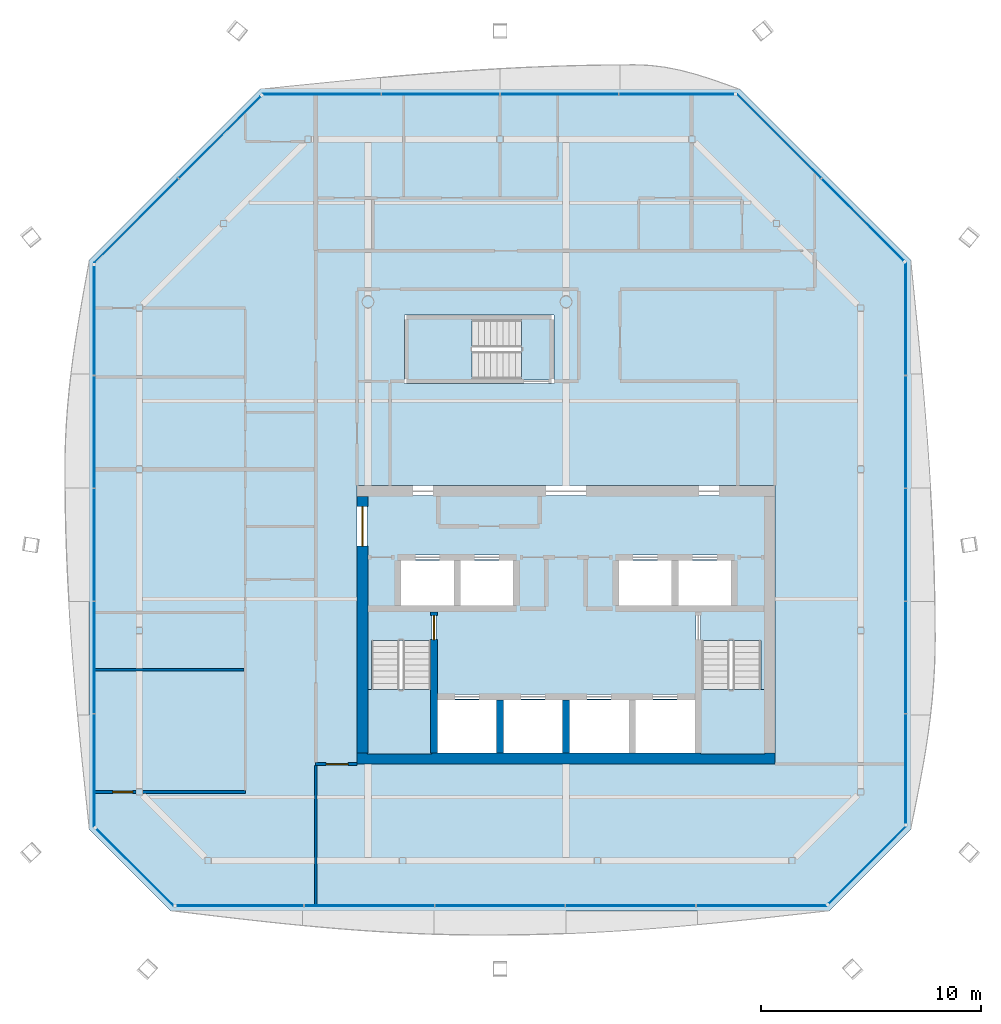
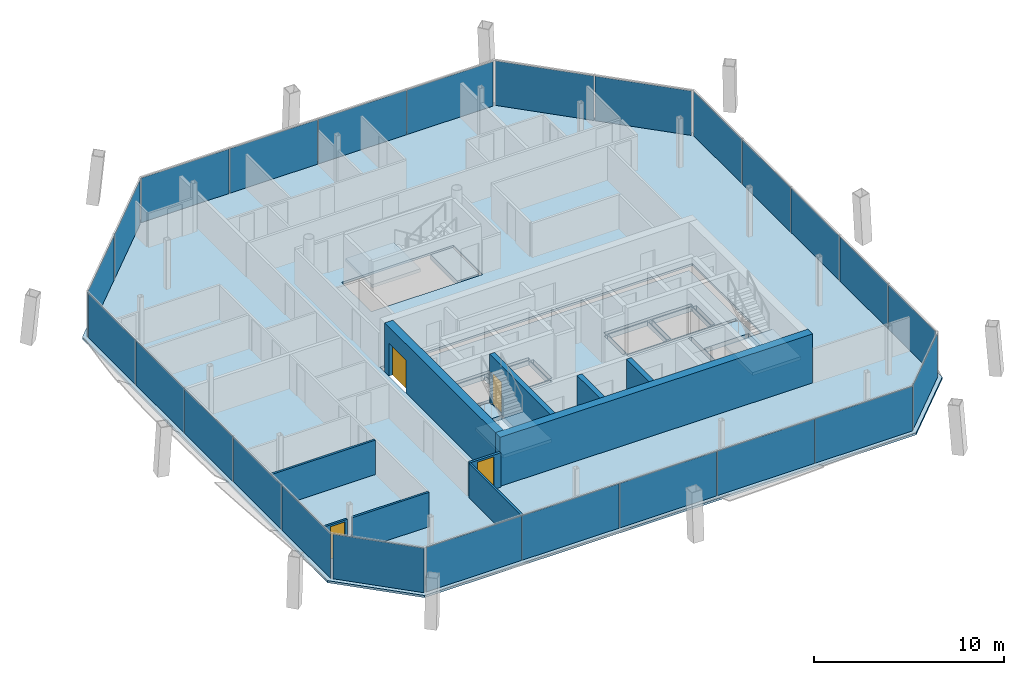
# One storey, part 11 of 17: 25 plates, 10 walls, 6 slabs, 4 doors, 4 openings, 11 elements without a shape of their own.
"""IFC4 building model written with IfcOpenShell, lengths in metres."""

from ifc_helpers import new_model, si_unit, direction, frame, frame_2d, origin, origin_2d, place, context, subcontext, project, spatial, polyline, rectangle, outline, extrude, material, layer, layer_set, type_object, element, fill, aggregate, save


model = new_model("IFC4")

# Units and contexts
model_context = context("Model", 3, precision=1e-05, world=origin(), true_north=direction((0.0, 1.0)))
body_context = subcontext(model_context, "Body", "Model", "MODEL_VIEW")
ifc_project = project(units=[si_unit("LENGTHUNIT", "METRE"), si_unit("AREAUNIT", "SQUARE_METRE"), si_unit("VOLUMEUNIT", "CUBIC_METRE"), si_unit("PLANEANGLEUNIT", "RADIAN"), si_unit("MASSUNIT", "GRAM", prefix="KILO")], contexts=[model_context])

# Site, building, storey
site_placement = place(None, origin())
site = spatial("IfcSite", under=ifc_project, at=site_placement, CompositionType="ELEMENT")
building_placement = place(site_placement, origin())
building = spatial("IfcBuilding", under=site, at=building_placement, Name="Tskaro Facet Tower", CompositionType="ELEMENT")
storey_placement = place(building_placement, frame((0.0, 0.0, 229.800048828125)))
storey = spatial("IfcBuildingStorey", under=building, at=storey_placement, Name="L59", CompositionType="ELEMENT", Elevation=229.800048828125)

# Slab
ifc_material_1 = material(Name="Concrete C30/37", Category="concrete")
ifc_layer_1 = layer(ifc_material_1, 0.139892578125, Name="Concrete C30/37")
ifc_layer_set_1 = layer_set([ifc_layer_1], Name="Concrete C30/37")
slab_type_1 = type_object("IfcSlabType", Name="Composite deck floor slab", PredefinedType="FLOOR", material=ifc_layer_set_1)
slab_1_placement = place(storey_placement, frame((0.0, 0.0, -0.14013671875)))
element("IfcSlab", 1, at=slab_1_placement, inside=storey, type_object=slab_type_1, Name="Floor slab FS3 L59", PredefinedType="FLOOR", context=body_context, shape_type="SweptSolid", body=[
    extrude(outline(polyline([(-17.947998046875, -18.68701171875), (11.947998046875, -18.68701171875), (15.68701171875, -14.947998046875), (15.68701171875, 10.883056640625), (7.883056640625, 18.68701171875), (-13.883056640625, 18.68701171875), (-21.68701171875, 10.883056640625), (-21.68701171875, -14.947998046875), (-17.947998046875, -18.68701171875)]), holes=[polyline([(-9.5, -12.0), (9.5, -12.0), (9.5, 0.64990234375), (-9.5, 0.64990234375), (-9.5, -12.0)]), polyline([(-7.35009765625, 5.300048828125), (-0.550048828125, 5.300048828125), (-0.550048828125, 8.39990234375), (-7.35009765625, 8.39990234375), (-7.35009765625, 5.300048828125)])]), origin(), (0.0, 0.0, 1.0), 0.14013671875),
])

# Curtain wall, plates
ifc_material_2 = material(Name="Bronze anodised aluminium 6063-T6", Category="aluminium")
curtain_wall_type = type_object("IfcCurtainWallType", Name="Bronze residence curtain wall (FW3)", PredefinedType="NOTDEFINED", material=ifc_material_2)
curtain_wall_1_placement = place(storey_placement, origin())
curtain_wall_1 = element("IfcCurtainWall", 2, at=curtain_wall_1_placement, inside=storey, type_object=curtain_wall_type, Name="FW3 south facet L59", PredefinedType="NOTDEFINED")
ifc_material_3 = material(Name="Bronze low-iron glass", Category="glass")
ifc_layer_2 = layer(ifc_material_3, 0.028076171875, Name="Bronze low-iron glass")
ifc_layer_set_2 = layer_set([ifc_layer_2], Name="Bronze low-iron glass")
plate_type = type_object("IfcPlateType", Name="FW3 bronze-tinted unit glazing 28", PredefinedType="CURTAIN_PANEL", material=ifc_layer_set_2)
plate_1_placement = place(storey_placement, frame((-14.817626953125, -18.43701171875, 0.0), z_axis=(0.0, 0.0, 1.0), x_axis=(1.0, 0.0, 0.0)))
plate_1 = element("IfcPlate", 3, at=plate_1_placement, type_object=plate_type, Name="FW3 south glazing 1.1", PredefinedType="CURTAIN_PANEL", context=body_context, shape_type="SweptSolid", body=[
    extrude(rectangle(XDim=5.772705078125, YDim=0.028076171875, at=origin_2d()), origin(), (0.0, 0.0, 1.0), 2.860107421875),
])
plate_2_placement = place(storey_placement, frame((-8.9375, -18.43701171875, 0.0), z_axis=(0.0, 0.0, 1.0), x_axis=(1.0, 0.0, 0.0)))
plate_2 = element("IfcPlate", 4, at=plate_2_placement, type_object=plate_type, Name="FW3 south glazing 2.1", PredefinedType="CURTAIN_PANEL", context=body_context, shape_type="SweptSolid", body=[
    extrude(rectangle(XDim=5.8876953125, YDim=0.028076171875, at=origin_2d()), origin(), (0.0, 0.0, 1.0), 2.860107421875),
])
plate_3_placement = place(storey_placement, frame((-3.0, -18.43701171875, 0.0), z_axis=(0.0, 0.0, 1.0), x_axis=(1.0, 0.0, 0.0)))
plate_3 = element("IfcPlate", 5, at=plate_3_placement, type_object=plate_type, Name="FW3 south glazing 3.1", PredefinedType="CURTAIN_PANEL", context=body_context, shape_type="SweptSolid", body=[
    extrude(rectangle(XDim=5.8876953125, YDim=0.028076171875, at=origin_2d()), origin(), (0.0, 0.0, 1.0), 2.860107421875),
])
plate_4_placement = place(storey_placement, frame((2.9375, -18.43701171875, 0.0), z_axis=(0.0, 0.0, 1.0), x_axis=(1.0, 0.0, 0.0)))
plate_4 = element("IfcPlate", 6, at=plate_4_placement, type_object=plate_type, Name="FW3 south glazing 4.1", PredefinedType="CURTAIN_PANEL", context=body_context, shape_type="SweptSolid", body=[
    extrude(rectangle(XDim=5.8876953125, YDim=0.028076171875, at=origin_2d()), origin(), (0.0, 0.0, 1.0), 2.860107421875),
])
plate_5_placement = place(storey_placement, frame((8.8876953125, -18.43701171875, 0.0), z_axis=(0.0, 0.0, 1.0), x_axis=(1.0, 0.0, 0.0)))
plate_5 = element("IfcPlate", 7, at=plate_5_placement, type_object=plate_type, Name="FW3 south glazing 5.1", PredefinedType="CURTAIN_PANEL", context=body_context, shape_type="SweptSolid", body=[
    extrude(rectangle(XDim=5.91259765625, YDim=0.028076171875, at=origin_2d()), origin(), (0.0, 0.0, 1.0), 2.860107421875),
])
aggregate(curtain_wall_1, [plate_1, plate_2, plate_3, plate_4, plate_5])

# Curtain wall, plate
curtain_wall_2_placement = place(storey_placement, origin())
curtain_wall_2 = element("IfcCurtainWall", 8, at=curtain_wall_2_placement, inside=storey, type_object=curtain_wall_type, Name="FW3 south-east facet L59", PredefinedType="NOTDEFINED")
plate_6_placement = place(storey_placement, frame((13.68994140625, -16.591064453125, 0.0), z_axis=(0.0, 0.0, 1.0), x_axis=(0.707106781187, 0.707106781187, 0.0)))
plate_6 = element("IfcPlate", 9, at=plate_6_placement, type_object=plate_type, Name="FW3 south-east glazing 1.1", PredefinedType="CURTAIN_PANEL", context=body_context, shape_type="SweptSolid", body=[
    extrude(rectangle(XDim=4.941162109375, YDim=0.028076171875, at=origin_2d()), origin(), (0.0, 0.0, 1.0), 2.860107421875),
])
aggregate(curtain_wall_2, [plate_6])

# Curtain wall, plates
curtain_wall_3_placement = place(storey_placement, origin())
curtain_wall_3 = element("IfcCurtainWall", 10, at=curtain_wall_3_placement, inside=storey, type_object=curtain_wall_type, Name="FW3 east facet L59", PredefinedType="NOTDEFINED")
plate_7_placement = place(storey_placement, frame((15.43701171875, -12.22412109375, 0.0), z_axis=(0.0, 0.0, 1.0), x_axis=(0.0, 1.0, 0.0)))
plate_7 = element("IfcPlate", 11, at=plate_7_placement, type_object=plate_type, Name="FW3 east glazing 1.1", PredefinedType="CURTAIN_PANEL", context=body_context, shape_type="SweptSolid", body=[
    extrude(rectangle(XDim=4.959716796875, YDim=0.028076171875, at=origin_2d()), origin(), (0.0, 0.0, 1.0), 2.860107421875),
])
plate_8_placement = place(storey_placement, frame((15.43701171875, -7.156982421875, 0.0), z_axis=(0.0, 0.0, 1.0), x_axis=(0.0, 1.0, 0.0)))
plate_8 = element("IfcPlate", 12, at=plate_8_placement, type_object=plate_type, Name="FW3 east glazing 2.1", PredefinedType="CURTAIN_PANEL", context=body_context, shape_type="SweptSolid", body=[
    extrude(rectangle(XDim=5.07470703125, YDim=0.028076171875, at=origin_2d()), origin(), (0.0, 0.0, 1.0), 2.860107421875),
])
plate_9_placement = place(storey_placement, frame((15.43701171875, -2.032470703125, 0.0), z_axis=(0.0, 0.0, 1.0), x_axis=(0.0, 1.0, 0.0)))
plate_9 = element("IfcPlate", 13, at=plate_9_placement, type_object=plate_type, Name="FW3 east glazing 3.1", PredefinedType="CURTAIN_PANEL", context=body_context, shape_type="SweptSolid", body=[
    extrude(rectangle(XDim=5.07470703125, YDim=0.028076171875, at=origin_2d()), origin(), (0.0, 0.0, 1.0), 2.860107421875),
])
plate_10_placement = place(storey_placement, frame((15.43701171875, 3.092041015625, 0.0), z_axis=(0.0, 0.0, 1.0), x_axis=(0.0, 1.0, 0.0)))
plate_10 = element("IfcPlate", 14, at=plate_10_placement, type_object=plate_type, Name="FW3 east glazing 4.1", PredefinedType="CURTAIN_PANEL", context=body_context, shape_type="SweptSolid", body=[
    extrude(rectangle(XDim=5.07470703125, YDim=0.028076171875, at=origin_2d()), origin(), (0.0, 0.0, 1.0), 2.860107421875),
])
plate_11_placement = place(storey_placement, frame((15.43701171875, 8.229248046875, 0.0), z_axis=(0.0, 0.0, 1.0), x_axis=(0.0, 1.0, 0.0)))
plate_11 = element("IfcPlate", 15, at=plate_11_placement, type_object=plate_type, Name="FW3 east glazing 5.1", PredefinedType="CURTAIN_PANEL", context=body_context, shape_type="SweptSolid", body=[
    extrude(rectangle(XDim=5.099609375, YDim=0.028076171875, at=origin_2d()), origin(), (0.0, 0.0, 1.0), 2.860107421875),
])
aggregate(curtain_wall_3, [plate_7, plate_8, plate_9, plate_10, plate_11])

curtain_wall_4_placement = place(storey_placement, origin())
curtain_wall_4 = element("IfcCurtainWall", 16, at=curtain_wall_4_placement, inside=storey, type_object=curtain_wall_type, Name="FW3 north-east facet L59", PredefinedType="NOTDEFINED")
plate_12_placement = place(storey_placement, frame((13.48193359375, 12.734130859375, 0.0), z_axis=(0.0, 0.0, 1.0), x_axis=(-0.707106781187, 0.707106781187, 0.0)))
plate_12 = element("IfcPlate", 17, at=plate_12_placement, type_object=plate_type, Name="FW3 north-east glazing 1.1", PredefinedType="CURTAIN_PANEL", context=body_context, shape_type="SweptSolid", body=[
    extrude(rectangle(XDim=5.25, YDim=0.028076171875, at=origin_2d()), origin(), (0.0, 0.0, 1.0), 2.860107421875),
])
plate_13_placement = place(storey_placement, frame((9.6845703125, 16.53125, 0.0), z_axis=(0.0, 0.0, 1.0), x_axis=(-0.707106781187, 0.707106781187, 0.0)))
plate_13 = element("IfcPlate", 18, at=plate_13_placement, type_object=plate_type, Name="FW3 north-east glazing 2.1", PredefinedType="CURTAIN_PANEL", context=body_context, shape_type="SweptSolid", body=[
    extrude(rectangle(XDim=5.39013671875, YDim=0.028076171875, at=origin_2d()), origin(), (0.0, 0.0, 1.0), 2.860107421875),
])
aggregate(curtain_wall_4, [plate_12, plate_13])

curtain_wall_5_placement = place(storey_placement, origin())
curtain_wall_5 = element("IfcCurtainWall", 19, at=curtain_wall_5_placement, inside=storey, type_object=curtain_wall_type, Name="FW3 north facet L59", PredefinedType="NOTDEFINED")
plate_14_placement = place(storey_placement, frame((5.02685546875, 18.43701171875, 0.0), z_axis=(0.0, 0.0, 1.0), x_axis=(-1.0, 0.0, 0.0)))
plate_14 = element("IfcPlate", 20, at=plate_14_placement, type_object=plate_type, Name="FW3 north glazing 1.1", PredefinedType="CURTAIN_PANEL", context=body_context, shape_type="SweptSolid", body=[
    extrude(rectangle(XDim=5.224609375, YDim=0.028076171875, at=origin_2d()), origin(), (0.0, 0.0, 1.0), 2.860107421875),
])
plate_15_placement = place(storey_placement, frame((-0.30517578125, 18.43701171875, 0.0), z_axis=(0.0, 0.0, 1.0), x_axis=(-1.0, 0.0, 0.0)))
plate_15 = element("IfcPlate", 21, at=plate_15_placement, type_object=plate_type, Name="FW3 north glazing 2.1", PredefinedType="CURTAIN_PANEL", context=body_context, shape_type="SweptSolid", body=[
    extrude(rectangle(XDim=5.339599609375, YDim=0.028076171875, at=origin_2d()), origin(), (0.0, 0.0, 1.0), 2.860107421875),
])
plate_16_placement = place(storey_placement, frame((-5.69482421875, 18.43701171875, 0.0), z_axis=(0.0, 0.0, 1.0), x_axis=(-1.0, 0.0, 0.0)))
plate_16 = element("IfcPlate", 22, at=plate_16_placement, type_object=plate_type, Name="FW3 north glazing 3.1", PredefinedType="CURTAIN_PANEL", context=body_context, shape_type="SweptSolid", body=[
    extrude(rectangle(XDim=5.339599609375, YDim=0.028076171875, at=origin_2d()), origin(), (0.0, 0.0, 1.0), 2.860107421875),
])
plate_17_placement = place(storey_placement, frame((-11.0966796875, 18.43701171875, 0.0), z_axis=(0.0, 0.0, 1.0), x_axis=(-1.0, 0.0, 0.0)))
plate_17 = element("IfcPlate", 23, at=plate_17_placement, type_object=plate_type, Name="FW3 north glazing 4.1", PredefinedType="CURTAIN_PANEL", context=body_context, shape_type="SweptSolid", body=[
    extrude(rectangle(XDim=5.364501953125, YDim=0.028076171875, at=origin_2d()), origin(), (0.0, 0.0, 1.0), 2.860107421875),
])
aggregate(curtain_wall_5, [plate_14, plate_15, plate_16, plate_17])

curtain_wall_6_placement = place(storey_placement, origin())
curtain_wall_6 = element("IfcCurtainWall", 24, at=curtain_wall_6_placement, inside=storey, type_object=curtain_wall_type, Name="FW3 north-west facet L59", PredefinedType="NOTDEFINED")
plate_18_placement = place(storey_placement, frame((-15.734130859375, 16.48193359375, 0.0), z_axis=(0.0, 0.0, 1.0), x_axis=(-0.707106781187, -0.707106781187, 0.0)))
plate_18 = element("IfcPlate", 25, at=plate_18_placement, type_object=plate_type, Name="FW3 north-west glazing 1.1", PredefinedType="CURTAIN_PANEL", context=body_context, shape_type="SweptSolid", body=[
    extrude(rectangle(XDim=5.25, YDim=0.028076171875, at=origin_2d()), origin(), (0.0, 0.0, 1.0), 2.860107421875),
])
plate_19_placement = place(storey_placement, frame((-19.53125, 12.6845703125, 0.0), z_axis=(0.0, 0.0, 1.0), x_axis=(-0.707106781187, -0.707106781187, 0.0)))
plate_19 = element("IfcPlate", 26, at=plate_19_placement, type_object=plate_type, Name="FW3 north-west glazing 2.1", PredefinedType="CURTAIN_PANEL", context=body_context, shape_type="SweptSolid", body=[
    extrude(rectangle(XDim=5.39013671875, YDim=0.028076171875, at=origin_2d()), origin(), (0.0, 0.0, 1.0), 2.860107421875),
])
aggregate(curtain_wall_6, [plate_18, plate_19])

curtain_wall_7_placement = place(storey_placement, origin())
curtain_wall_7 = element("IfcCurtainWall", 27, at=curtain_wall_7_placement, inside=storey, type_object=curtain_wall_type, Name="FW3 west facet L59", PredefinedType="NOTDEFINED")
plate_20_placement = place(storey_placement, frame((-21.43701171875, 8.1591796875, 0.0), z_axis=(0.0, 0.0, 1.0), x_axis=(0.0, -1.0, 0.0)))
plate_20 = element("IfcPlate", 28, at=plate_20_placement, type_object=plate_type, Name="FW3 west glazing 1.1", PredefinedType="CURTAIN_PANEL", context=body_context, shape_type="SweptSolid", body=[
    extrude(rectangle(XDim=4.959716796875, YDim=0.028076171875, at=origin_2d()), origin(), (0.0, 0.0, 1.0), 2.860107421875),
])
plate_21_placement = place(storey_placement, frame((-21.43701171875, 3.092041015625, 0.0), z_axis=(0.0, 0.0, 1.0), x_axis=(0.0, -1.0, 0.0)))
plate_21 = element("IfcPlate", 29, at=plate_21_placement, type_object=plate_type, Name="FW3 west glazing 2.1", PredefinedType="CURTAIN_PANEL", context=body_context, shape_type="SweptSolid", body=[
    extrude(rectangle(XDim=5.07470703125, YDim=0.028076171875, at=origin_2d()), origin(), (0.0, 0.0, 1.0), 2.860107421875),
])
plate_22_placement = place(storey_placement, frame((-21.43701171875, -2.032470703125, 0.0), z_axis=(0.0, 0.0, 1.0), x_axis=(0.0, -1.0, 0.0)))
plate_22 = element("IfcPlate", 30, at=plate_22_placement, type_object=plate_type, Name="FW3 west glazing 3.1", PredefinedType="CURTAIN_PANEL", context=body_context, shape_type="SweptSolid", body=[
    extrude(rectangle(XDim=5.07470703125, YDim=0.028076171875, at=origin_2d()), origin(), (0.0, 0.0, 1.0), 2.860107421875),
])
plate_23_placement = place(storey_placement, frame((-21.43701171875, -7.156982421875, 0.0), z_axis=(0.0, 0.0, 1.0), x_axis=(0.0, -1.0, 0.0)))
plate_23 = element("IfcPlate", 31, at=plate_23_placement, type_object=plate_type, Name="FW3 west glazing 4.1", PredefinedType="CURTAIN_PANEL", context=body_context, shape_type="SweptSolid", body=[
    extrude(rectangle(XDim=5.07470703125, YDim=0.028076171875, at=origin_2d()), origin(), (0.0, 0.0, 1.0), 2.860107421875),
])
plate_24_placement = place(storey_placement, frame((-21.43701171875, -12.294189453125, 0.0), z_axis=(0.0, 0.0, 1.0), x_axis=(0.0, -1.0, 0.0)))
plate_24 = element("IfcPlate", 32, at=plate_24_placement, type_object=plate_type, Name="FW3 west glazing 5.1", PredefinedType="CURTAIN_PANEL", context=body_context, shape_type="SweptSolid", body=[
    extrude(rectangle(XDim=5.099609375, YDim=0.028076171875, at=origin_2d()), origin(), (0.0, 0.0, 1.0), 2.860107421875),
])
aggregate(curtain_wall_7, [plate_20, plate_21, plate_22, plate_23, plate_24])

# Curtain wall, plate
curtain_wall_8_placement = place(storey_placement, origin())
curtain_wall_8 = element("IfcCurtainWall", 33, at=curtain_wall_8_placement, inside=storey, type_object=curtain_wall_type, Name="FW3 south-west facet L59", PredefinedType="NOTDEFINED")
plate_25_placement = place(storey_placement, frame((-19.591064453125, -16.68994140625, 0.0), z_axis=(0.0, 0.0, 1.0), x_axis=(0.707106781187, -0.707106781187, 0.0)))
plate_25 = element("IfcPlate", 34, at=plate_25_placement, type_object=plate_type, Name="FW3 south-west glazing 1.1", PredefinedType="CURTAIN_PANEL", context=body_context, shape_type="SweptSolid", body=[
    extrude(rectangle(XDim=4.941162109375, YDim=0.028076171875, at=origin_2d()), origin(), (0.0, 0.0, 1.0), 2.860107421875),
])
aggregate(curtain_wall_8, [plate_25])

# Stair, slab
ifc_material_4 = material(Name="Concrete C40/50", Category="concrete")
stair_type = type_object("IfcStairType", Name="ST-TWR", PredefinedType="HALF_TURN_STAIR", material=ifc_material_4)
stair_1_placement = place(storey_placement, origin())
stair_1 = element("IfcStair", 35, at=stair_1_placement, inside=storey, type_object=stair_type, Name="L59 Exit stair 1", PredefinedType="HALF_TURN_STAIR")
ifc_layer_3 = layer(ifc_material_4, 0.199951171875, Name="Concrete C40/50")
ifc_layer_set_3 = layer_set([ifc_layer_3], Name="Concrete C40/50")
slab_type_2 = type_object("IfcSlabType", Name="SL-LANDING", PredefinedType="LANDING", material=ifc_layer_set_3)
slab_2_placement = place(storey_placement, frame((0.0, 0.0, 1.375)))
slab_2 = element("IfcSlab", 36, at=slab_2_placement, type_object=slab_type_2, Name="ST-1 landing 1", PredefinedType="LANDING", context=body_context, shape_type="SweptSolid", body=[
    extrude(outline(polyline([(-9.050048828125, -11.550048828125), (-6.10009765625, -11.550048828125), (-6.10009765625, -8.614990234375), (-9.050048828125, -8.614990234375), (-9.050048828125, -11.550048828125)])), origin(), (0.0, 0.0, 1.0), 0.199951171875),
])
aggregate(stair_1, [slab_2])

stair_2_placement = place(storey_placement, origin())
stair_2 = element("IfcStair", 37, at=stair_2_placement, inside=storey, type_object=stair_type, Name="L59 Exit stair 2", PredefinedType="HALF_TURN_STAIR")
slab_3_placement = place(storey_placement, frame((0.0, 0.0, 1.375)))
slab_3 = element("IfcSlab", 38, at=slab_3_placement, type_object=slab_type_2, Name="ST-2 landing 1", PredefinedType="LANDING", context=body_context, shape_type="SweptSolid", body=[
    extrude(outline(polyline([(6.10009765625, -11.550048828125), (9.050048828125, -11.550048828125), (9.050048828125, -8.614990234375), (6.10009765625, -8.614990234375), (6.10009765625, -11.550048828125)])), origin(), (0.0, 0.0, 1.0), 0.199951171875),
])
aggregate(stair_2, [slab_3])

stair_3_placement = place(storey_placement, origin())
stair_3 = element("IfcStair", 39, at=stair_3_placement, inside=storey, type_object=stair_type, Name="L59 Exit stair 3", PredefinedType="HALF_TURN_STAIR")
slab_4_placement = place(storey_placement, frame((0.0, 0.0, 1.375)))
slab_4 = element("IfcSlab", 40, at=slab_4_placement, type_object=slab_type_2, Name="ST-3 landing 1", PredefinedType="LANDING", context=body_context, shape_type="SweptSolid", body=[
    extrude(outline(polyline([(-7.199951171875, 5.449951171875), (-4.264892578125, 5.449951171875), (-4.264892578125, 8.25), (-7.199951171875, 8.25), (-7.199951171875, 5.449951171875)])), origin(), (0.0, 0.0, 1.0), 0.199951171875),
])
aggregate(stair_3, [slab_4])

# Slabs
ifc_material_5 = material(Name="Concrete C60/75", Category="concrete")
ifc_layer_4 = layer(ifc_material_5, 0.300048828125, Name="Concrete C60/75")
ifc_layer_set_4 = layer_set([ifc_layer_4], Name="Concrete C60/75")
slab_type_3 = type_object("IfcSlabType", Name="SLAB-CORE", PredefinedType="FLOOR", material=ifc_layer_set_4)
slab_5_placement = place(storey_placement, frame((0.0, 0.0, -0.300048828125)))
element("IfcSlab", 41, at=slab_5_placement, inside=storey, type_object=slab_type_3, Name="Core floor slab 1", PredefinedType="FLOOR", context=body_context, shape_type="SweptSolid", body=[
    extrude(outline(polyline([(-9.050048828125, 0.199951171875), (9.050048828125, 0.199951171875), (9.050048828125, 0.10009765625), (9.050048828125, -11.449951171875), (9.050048828125, -11.550048828125), (-9.050048828125, -11.550048828125), (-9.050048828125, -11.449951171875), (-9.050048828125, 0.10009765625), (-9.050048828125, 0.199951171875)]), holes=[polyline([(-5.85009765625, -9.10009765625), (-5.85009765625, -11.5), (-3.14990234375, -11.5), (-3.14990234375, -9.10009765625), (-5.85009765625, -9.10009765625)]), polyline([(-3.10009765625, -11.449951171875), (-2.89990234375, -11.449951171875), (-2.89990234375, -9.14990234375), (-3.10009765625, -9.14990234375), (-3.10009765625, -11.449951171875)]), polyline([(-2.85009765625, -9.10009765625), (-2.85009765625, -11.5), (-0.14990234375, -11.5), (-0.14990234375, -9.10009765625), (-2.85009765625, -9.10009765625)]), polyline([(-6.10009765625, -11.449951171875), (-5.89990234375, -11.449951171875), (-5.89990234375, -5.14990234375), (-6.10009765625, -5.14990234375), (-6.10009765625, -11.449951171875)]), polyline([(-8.949951171875, -5.050048828125), (-2.300048828125, -5.050048828125), (-2.300048828125, -4.85009765625), (-8.949951171875, -4.85009765625), (-8.949951171875, -5.050048828125)]), polyline([(-7.75, -4.75), (-7.550048828125, -4.75), (-7.550048828125, -2.800048828125), (-7.75, -2.800048828125), (-7.75, -4.75)]), polyline([(-7.5, -2.75), (-7.5, -4.800048828125), (-5.10009765625, -4.800048828125), (-5.10009765625, -2.75), (-7.5, -2.75)]), polyline([(-5.050048828125, -4.75), (-4.85009765625, -4.75), (-4.85009765625, -2.800048828125), (-5.050048828125, -2.800048828125), (-5.050048828125, -4.75)]), polyline([(-2.39990234375, -2.75), (-4.800048828125, -2.75), (-4.800048828125, -4.800048828125), (-2.39990234375, -4.800048828125), (-2.39990234375, -2.75)]), polyline([(-2.35009765625, -4.75), (-2.14990234375, -4.75), (-2.14990234375, -2.800048828125), (-2.35009765625, -2.800048828125), (-2.35009765625, -4.75)]), polyline([(-7.60009765625, -2.699951171875), (-2.300048828125, -2.699951171875), (-2.300048828125, -2.5), (-7.60009765625, -2.5), (-7.60009765625, -2.699951171875)]), polyline([(-0.10009765625, -11.449951171875), (0.10009765625, -11.449951171875), (0.10009765625, -9.14990234375), (-0.10009765625, -9.14990234375), (-0.10009765625, -11.449951171875)]), polyline([(0.14990234375, -9.10009765625), (0.14990234375, -11.5), (2.85009765625, -11.5), (2.85009765625, -9.10009765625), (0.14990234375, -9.10009765625)]), polyline([(2.89990234375, -11.449951171875), (3.10009765625, -11.449951171875), (3.10009765625, -9.14990234375), (2.89990234375, -9.14990234375), (2.89990234375, -11.449951171875)]), polyline([(3.14990234375, -9.10009765625), (3.14990234375, -11.5), (5.85009765625, -11.5), (5.85009765625, -9.10009765625), (3.14990234375, -9.10009765625)]), polyline([(-5.800048828125, -9.050048828125), (5.800048828125, -9.050048828125), (5.800048828125, -8.85009765625), (-5.800048828125, -8.85009765625), (-5.800048828125, -9.050048828125)]), polyline([(5.89990234375, -11.449951171875), (6.10009765625, -11.449951171875), (6.10009765625, -5.14990234375), (5.89990234375, -5.14990234375), (5.89990234375, -11.449951171875)]), polyline([(2.300048828125, -5.050048828125), (8.949951171875, -5.050048828125), (8.949951171875, -4.85009765625), (2.300048828125, -4.85009765625), (2.300048828125, -5.050048828125)]), polyline([(2.14990234375, -4.75), (2.35009765625, -4.75), (2.35009765625, -2.800048828125), (2.14990234375, -2.800048828125), (2.14990234375, -4.75)]), polyline([(2.39990234375, -4.800048828125), (4.800048828125, -4.800048828125), (4.800048828125, -2.75), (2.39990234375, -2.75), (2.39990234375, -4.800048828125)]), polyline([(4.85009765625, -4.75), (5.050048828125, -4.75), (5.050048828125, -2.800048828125), (4.85009765625, -2.800048828125), (4.85009765625, -4.75)]), polyline([(5.10009765625, -4.800048828125), (7.5, -4.800048828125), (7.5, -2.75), (5.10009765625, -2.75), (5.10009765625, -4.800048828125)]), polyline([(7.550048828125, -4.75), (7.75, -4.75), (7.75, -2.800048828125), (7.550048828125, -2.800048828125), (7.550048828125, -4.75)]), polyline([(2.300048828125, -2.699951171875), (7.60009765625, -2.699951171875), (7.60009765625, -2.5), (2.300048828125, -2.5), (2.300048828125, -2.699951171875)]), polyline([(-8.85009765625, -11.5), (-6.14990234375, -11.5), (-6.14990234375, -6.39501953125), (-8.85009765625, -6.39501953125), (-8.85009765625, -11.5)]), polyline([(6.14990234375, -6.39501953125), (6.14990234375, -11.5), (8.85009765625, -11.5), (8.85009765625, -6.39501953125), (6.14990234375, -6.39501953125)])]), origin(), (0.0, 0.0, 1.0), 0.300048828125),
])
slab_6_placement = place(storey_placement, frame((0.0, 0.0, -0.300048828125)))
element("IfcSlab", 42, at=slab_6_placement, inside=storey, type_object=slab_type_3, Name="Stair 3 floor landing 1", PredefinedType="FLOOR", context=body_context, shape_type="SweptSolid", body=[
    extrude(outline(polyline([(-2.02490234375, 5.449951171875), (-0.699951171875, 5.449951171875), (-0.699951171875, 8.25), (-2.02490234375, 8.25), (-2.02490234375, 5.449951171875)])), origin(), (0.0, 0.0, 1.0), 0.300048828125),
])

# Wall, opening, door
ifc_layer_5 = layer(ifc_material_5, 0.300048828125, Name="Concrete C60/75")
ifc_layer_set_5 = layer_set([ifc_layer_5], Name="Concrete C60/75")
wall_type_1 = type_object("IfcWallType", Name="CORE-SHAFT", PredefinedType="SHEAR", material=ifc_layer_set_5)
wall_1_placement = place(storey_placement, frame((-6.0, -11.5, 0.0), z_axis=(0.0, 0.0, 1.0), x_axis=(0.0, 1.0, 0.0)))
wall_1 = element("IfcWall", 43, at=wall_1_placement, inside=storey, type_object=wall_type_1, Name="Shaft wall W049", PredefinedType="SHEAR", context=body_context, shape_type="SweptSolid", body=[
    extrude(rectangle(XDim=6.39990234375, YDim=0.300048828125, at=frame_2d((3.199951171875, 0.0))), origin(), (0.0, 0.0, 1.0), 3.14990234375),
])
opening_1_placement = place(wall_1_placement, frame((5.14990234375, 0.0, 0.0)))
opening_1 = element("IfcOpeningElement", 44, at=opening_1_placement, cuts=wall_1, Name="Opening ST-1-D1", PredefinedType="OPENING", context=body_context, shape_type="SweptSolid", body=[
    extrude(rectangle(XDim=1.10009765625, YDim=2.10009765625, at=frame_2d((0.550048828125, 1.050048828125))), frame((0.0, 0.159912109375, 0.0), z_axis=(0.0, -1.0, 0.0), x_axis=(1.0, 0.0, 0.0)), (0.0, 0.0, 1.0), 0.320068359375),
])
ifc_material_6 = material(Name="Steel", Category="steel")
door_type_1 = type_object("IfcDoorType", Name="D-STAIR", OperationType="NOTDEFINED", PredefinedType="DOOR", material=ifc_material_6)
door_1_placement = place(opening_1_placement, origin())
door_1 = element("IfcDoor", 45, at=door_1_placement, inside=storey, type_object=door_type_1, Name="Stair door 1", OperationType="SINGLE_SWING_LEFT", OverallHeight=2.10009765625, OverallWidth=1.10009765625, PredefinedType="DOOR", context=body_context, shape_type="SweptSolid", body=[
    extrude(rectangle(XDim=1.10009765625, YDim=2.10009765625, at=frame_2d((0.550048828125, 1.050048828125))), frame((0.0, 0.02490234375, 0.0), z_axis=(0.0, -1.0, 0.0), x_axis=(1.0, 0.0, 0.0)), (0.0, 0.0, 1.0), 0.050048828125),
])
fill(opening_1, door_1)

# Walls
for number, where, z_axis, x_axis, name in (
    (46, (-3.0, -11.5, 0.0), (0.0, 0.0, 1.0), (0.0, 1.0, 0.0), "Shaft wall W052"),
    (47, (0.0, -11.5, 0.0), (0.0, 0.0, 1.0), (0.0, 1.0, 0.0), "Shaft wall W060"),
):
    element("IfcWall", number, at=place(storey_placement, frame(where, z_axis=z_axis, x_axis=x_axis)), inside=storey, type_object=wall_type_1, Name=name, PredefinedType="SHEAR", context=body_context, shape_type="SweptSolid", body=[
        extrude(rectangle(XDim=2.39990234375, YDim=0.300048828125, at=frame_2d((1.199951171875, 0.0))), origin(), (0.0, 0.0, 1.0), 3.14990234375),
    ])
ifc_layer_6 = layer(ifc_material_4, 0.5, Name="Concrete C40/50")
ifc_layer_set_6 = layer_set([ifc_layer_6], Name="Concrete C40/50")
wall_type_2 = type_object("IfcWallType", Name="Core wall 500", PredefinedType="SHEAR", material=ifc_layer_set_6)
wall_2_placement = place(storey_placement, frame((-9.5, -11.75, 0.0), z_axis=(0.0, 0.0, 1.0), x_axis=(1.0, 0.0, 0.0)))
element("IfcWall", 48, at=wall_2_placement, inside=storey, type_object=wall_type_2, Name="Core wall CW-Z3S", PredefinedType="SHEAR", context=body_context, shape_type="SweptSolid", body=[
    extrude(rectangle(XDim=19.0, YDim=0.5, at=frame_2d((9.5, 0.0))), origin(), (0.0, 0.0, 1.0), 3.14990234375),
])

# Wall, opening, door
wall_3_placement = place(storey_placement, frame((-9.25, -11.5, 0.0), z_axis=(0.0, 0.0, 1.0), x_axis=(0.0, 1.0, 0.0)))
wall_3 = element("IfcWall", 49, at=wall_3_placement, inside=storey, type_object=wall_type_2, Name="Core wall CW-Z3W", PredefinedType="SHEAR", context=body_context, shape_type="SweptSolid", body=[
    extrude(rectangle(XDim=11.64990234375, YDim=0.5, at=frame_2d((5.824951171875, 0.0))), origin(), (0.0, 0.0, 1.0), 3.14990234375),
])
opening_2_placement = place(wall_3_placement, frame((9.39990234375, 0.0, 0.0)))
opening_2 = element("IfcOpeningElement", 50, at=opening_2_placement, cuts=wall_3, Name="Opening T17-D11", PredefinedType="OPENING", context=body_context, shape_type="SweptSolid", body=[
    extrude(rectangle(XDim=1.800048828125, YDim=2.10009765625, at=frame_2d((0.89990234375, 1.050048828125))), frame((0.0, 0.260009765625, 0.0), z_axis=(0.0, -1.0, 0.0), x_axis=(1.0, 0.0, 0.0)), (0.0, 0.0, 1.0), 0.52001953125),
])
door_type_2 = type_object("IfcDoorType", Name="D-CORE-PAIR", OperationType="NOTDEFINED", PredefinedType="DOOR", material=ifc_material_6)
door_2_placement = place(opening_2_placement, origin())
door_2 = element("IfcDoor", 51, at=door_2_placement, inside=storey, type_object=door_type_2, Name="Door T17-D11", OperationType="DOUBLE_DOOR_SINGLE_SWING", OverallHeight=2.10009765625, OverallWidth=1.800048828125, PredefinedType="DOOR", context=body_context, shape_type="SweptSolid", body=[
    extrude(rectangle(XDim=1.800048828125, YDim=2.10009765625, at=frame_2d((0.89990234375, 1.050048828125))), frame((0.0, 0.02490234375, 0.0), z_axis=(0.0, -1.0, 0.0), x_axis=(1.0, 0.0, 0.0)), (0.0, 0.0, 1.0), 0.050048828125),
])
fill(opening_2, door_2)

ifc_material_7 = material(Name="Gypsum board on steel studs", Category="steel")
ifc_layer_7 = layer(ifc_material_7, 0.125, Name="Gypsum board on steel studs")
ifc_layer_set_7 = layer_set([ifc_layer_7], Name="Gypsum board on steel studs")
wall_type_3 = type_object("IfcWallType", Name="PART", PredefinedType="PARTITIONING", material=ifc_layer_set_7)
wall_4_placement = place(storey_placement, frame((-21.385009765625, -13.27001953125, 0.0), z_axis=(0.0, 0.0, 1.0), x_axis=(1.0, 0.0, 0.0)))
wall_4 = element("IfcWall", 52, at=wall_4_placement, inside=storey, type_object=wall_type_3, Name="Partition W001", PredefinedType="PARTITIONING", context=body_context, shape_type="SweptSolid", body=[
    extrude(rectangle(XDim=1.843994140625, YDim=0.125, at=frame_2d((0.921875, 0.0))), origin(), (0.0, 0.0, 1.0), 2.2099609375),
])
opening_3_placement = place(wall_4_placement, frame((0.7939453125, 0.0, 0.0)))
opening_3 = element("IfcOpeningElement", 53, at=opening_3_placement, cuts=wall_4, Name="Opening T17-D01", PredefinedType="OPENING", context=body_context, shape_type="SweptSolid", body=[
    extrude(rectangle(XDim=0.89990234375, YDim=2.10009765625, at=frame_2d((0.449951171875, 1.050048828125))), frame((0.0, 0.072509765625, 0.0), z_axis=(0.0, -1.0, 0.0), x_axis=(1.0, 0.0, 0.0)), (0.0, 0.0, 1.0), 0.14501953125),
])
ifc_material_8 = material(Name="Timber", Category="wood")
door_type_3 = type_object("IfcDoorType", Name="D-ROOM", OperationType="NOTDEFINED", PredefinedType="DOOR", material=ifc_material_8)
door_3_placement = place(opening_3_placement, origin())
door_3 = element("IfcDoor", 54, at=door_3_placement, inside=storey, type_object=door_type_3, Name="Door T17-D01", OperationType="SINGLE_SWING_LEFT", OverallHeight=2.10009765625, OverallWidth=0.89990234375, PredefinedType="DOOR", context=body_context, shape_type="SweptSolid", body=[
    extrude(rectangle(XDim=0.89990234375, YDim=2.10009765625, at=frame_2d((0.449951171875, 1.050048828125))), frame((0.0, 0.02490234375, 0.0), z_axis=(0.0, -1.0, 0.0), x_axis=(1.0, 0.0, 0.0)), (0.0, 0.0, 1.0), 0.050048828125),
])
fill(opening_3, door_3)

# Walls
wall_5_placement = place(storey_placement, frame((-19.240966796875, -13.27001953125, 0.0), z_axis=(0.0, 0.0, 1.0), x_axis=(1.0, 0.0, 0.0)))
element("IfcWall", 55, at=wall_5_placement, inside=storey, type_object=wall_type_3, Name="Partition W002", PredefinedType="PARTITIONING", context=body_context, shape_type="SweptSolid", body=[
    extrude(rectangle(XDim=4.666015625, YDim=0.125, at=frame_2d((2.3330078125, 0.0))), origin(), (0.0, 0.0, 1.0), 2.2099609375),
])
wall_6_placement = place(storey_placement, frame((-21.385009765625, -7.7099609375, 0.0), z_axis=(0.0, 0.0, 1.0), x_axis=(1.0, 0.0, 0.0)))
element("IfcWall", 56, at=wall_6_placement, inside=storey, type_object=wall_type_3, Name="Partition W006", PredefinedType="PARTITIONING", context=body_context, shape_type="SweptSolid", body=[
    extrude(rectangle(XDim=6.74755859375, YDim=0.125, at=frame_2d((3.373779296875, 0.0))), origin(), (0.0, 0.0, 1.0), 2.2099609375),
])
wall_7_placement = place(storey_placement, frame((-11.375, -18.385009765625, 0.0), z_axis=(0.0, 0.0, 1.0), x_axis=(0.0, 1.0, 0.0)))
element("IfcWall", 57, at=wall_7_placement, inside=storey, type_object=wall_type_3, Name="Partition W040", PredefinedType="PARTITIONING", context=body_context, shape_type="SweptSolid", body=[
    extrude(rectangle(XDim=6.31005859375, YDim=0.125, at=frame_2d((3.155029296875, 0.0))), origin(), (0.0, 0.0, 1.0), 2.2099609375),
])

# Wall, opening, door
ifc_layer_8 = layer(ifc_material_7, 0.14990234375, Name="Gypsum board on steel studs")
ifc_layer_set_8 = layer_set([ifc_layer_8], Name="Gypsum board on steel studs")
wall_type_4 = type_object("IfcWallType", Name="PART-CORR", PredefinedType="PARTITIONING", material=ifc_layer_set_8)
wall_8_placement = place(storey_placement, frame((-9.5, -12.0, 0.0), z_axis=(0.0, 0.0, 1.0), x_axis=(-1.0, 0.0, 0.0)))
wall_8 = element("IfcWall", 58, at=wall_8_placement, inside=storey, type_object=wall_type_4, Name="Corridor wall W003", PredefinedType="PARTITIONING", context=body_context, shape_type="SweptSolid", body=[
    extrude(rectangle(XDim=1.875, YDim=0.14990234375, at=frame_2d((0.9375, 0.0))), origin(), (0.0, 0.0, 1.0), 2.2099609375),
])
opening_4_placement = place(wall_8_placement, frame((0.39990234375, 0.0, 0.0)))
opening_4 = element("IfcOpeningElement", 59, at=opening_4_placement, cuts=wall_8, Name="Opening T17-D02", PredefinedType="OPENING", context=body_context, shape_type="SweptSolid", body=[
    extrude(rectangle(XDim=1.0, YDim=2.10009765625, at=frame_2d((0.5, 1.050048828125))), frame((0.0, 0.0849609375, 0.0), z_axis=(0.0, -1.0, 0.0), x_axis=(1.0, 0.0, 0.0)), (0.0, 0.0, 1.0), 0.169921875),
])
door_type_4 = type_object("IfcDoorType", Name="D-ROOM-WIDE", OperationType="NOTDEFINED", PredefinedType="DOOR", material=ifc_material_8)
door_4_placement = place(opening_4_placement, origin())
door_4 = element("IfcDoor", 60, at=door_4_placement, inside=storey, type_object=door_type_4, Name="Door T17-D02", OperationType="SINGLE_SWING_RIGHT", OverallHeight=2.10009765625, OverallWidth=1.0, PredefinedType="DOOR", context=body_context, shape_type="SweptSolid", body=[
    extrude(rectangle(XDim=1.0, YDim=2.10009765625, at=frame_2d((0.5, 1.050048828125))), frame((0.0, 0.02490234375, 0.0), z_axis=(0.0, -1.0, 0.0), x_axis=(1.0, 0.0, 0.0)), (0.0, 0.0, 1.0), 0.050048828125),
])
fill(opening_4, door_4)

save(model, "model.ifc")
